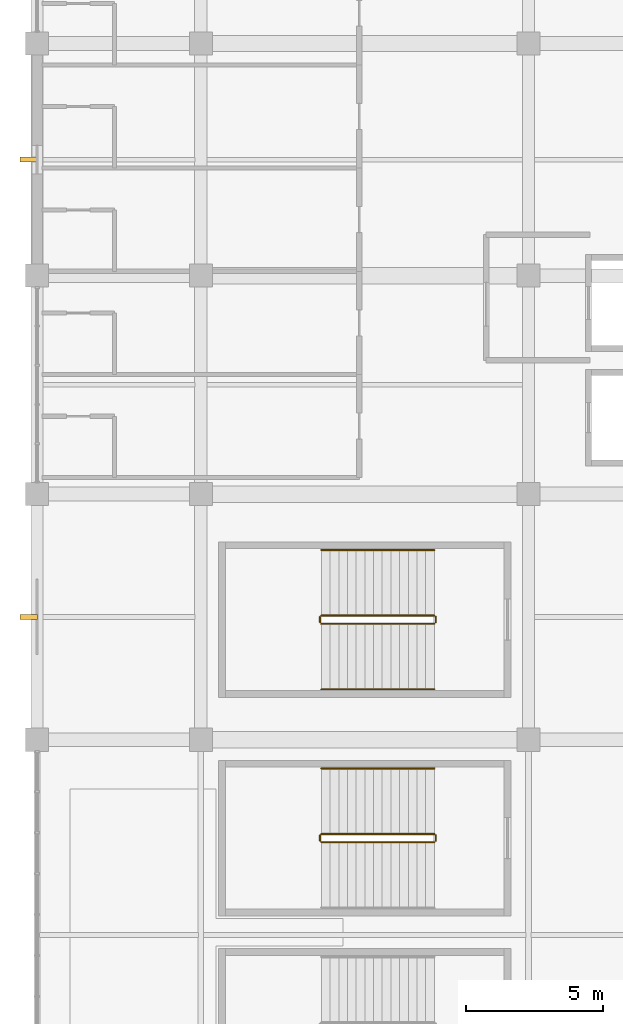
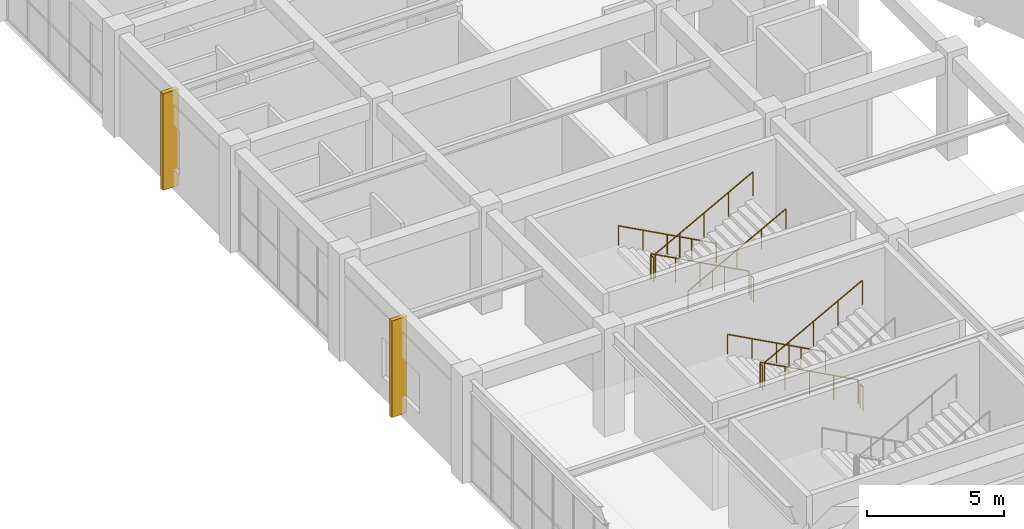
# One storey, part 98 of 112: 11 railings, 2 shading devices.
"""IFC4 building model written with IfcOpenShell, lengths in metres."""

from ifc_helpers import new_model, si_unit, direction, frame, origin, origin_2d, place, context, subcontext, project, spatial, rectangle, circle, extrude, material, type_object, element, save


model = new_model("IFC4")

# Units and contexts
model_context = context("Model", 3, precision=1e-05, world=origin(), true_north=direction((0.0, 1.0)))
body_context = subcontext(model_context, "Body", "Model", "MODEL_VIEW")
ifc_project = project(units=[si_unit("LENGTHUNIT", "METRE"), si_unit("AREAUNIT", "SQUARE_METRE"), si_unit("VOLUMEUNIT", "CUBIC_METRE"), si_unit("PLANEANGLEUNIT", "RADIAN"), si_unit("MASSUNIT", "GRAM", prefix="KILO")], contexts=[model_context])

# Site, building, storey
site_placement = place(None, origin())
site = spatial("IfcSite", under=ifc_project, at=site_placement, CompositionType="ELEMENT")
building_placement = place(site_placement, origin())
building = spatial("IfcBuilding", under=site, at=building_placement, Name="Cuetzalor Civic Arena", CompositionType="ELEMENT")
storey_placement = place(building_placement, frame((0.0, 0.0, 11.39990234375)))
storey = spatial("IfcBuildingStorey", under=building, at=storey_placement, Name="L02", CompositionType="ELEMENT", Elevation=11.39990234375)

# Railings
ifc_material_1 = material(Name="Reseda-green architectural Steel S355 balustrade", Category="steel")
railing_type_1 = type_object("IfcRailingType", Name="InteriorVoidBalustrade_1100", PredefinedType="BALUSTRADE", material=ifc_material_1)
railing_1_placement = place(storey_placement, frame((-67.449951171875, -37.449951171875, 0.171630859375)))
element("IfcRailing", 1, at=railing_1_placement, inside=storey, type_object=railing_type_1, Name="L02 ST-15 stair guard 1", PredefinedType="BALUSTRADE", context=body_context, shape_type="SweptSolid", body=[
    extrude(circle(Radius=0.02392578125, at=origin_2d()), frame((0.0, 0.0, 1.0810546875), z_axis=(-0.880248997335, 0.0, 0.474512068014), x_axis=(0.0, -1.0, 0.0)), (0.0, 0.0, 1.0), 4.696533203125),
    extrude(circle(Radius=0.02099609375, at=origin_2d()), origin(), (0.0, 0.0, 1.0), 1.056884765625),
    extrude(circle(Radius=0.02099609375, at=origin_2d()), frame((-1.033447265625, 0.0, 0.55712890625)), (0.0, 0.0, 1.0), 1.056884765625),
    extrude(circle(Radius=0.02099609375, at=origin_2d()), frame((-2.06689453125, 0.0, 1.1142578125)), (0.0, 0.0, 1.0), 1.056884765625),
    extrude(circle(Radius=0.02099609375, at=origin_2d()), frame((-3.1005859375, 0.0, 1.67138671875)), (0.0, 0.0, 1.0), 1.056884765625),
    extrude(circle(Radius=0.02099609375, at=origin_2d()), frame((-4.134033203125, 0.0, 2.228515625)), (0.0, 0.0, 1.0), 1.056884765625),
])
railing_2_placement = place(storey_placement, frame((-71.634033203125, -37.5, 2.400146484375)))
element("IfcRailing", 2, at=railing_2_placement, inside=storey, type_object=railing_type_1, Name="L02 ST-15 stair guard 2", PredefinedType="BALUSTRADE", context=body_context, shape_type="SweptSolid", body=[
    extrude(circle(Radius=0.02392578125, at=origin_2d()), frame((0.0, 0.0, 1.0810546875), z_axis=(0.0, -1.0, 0.0), x_axis=(1.0, 0.0, 0.0)), (0.0, 0.0, 1.0), 0.199951171875),
    extrude(circle(Radius=0.02099609375, at=origin_2d()), origin(), (0.0, 0.0, 1.0), 1.056884765625),
    extrude(circle(Radius=0.02099609375, at=origin_2d()), frame((0.0, -0.199951171875, 0.0)), (0.0, 0.0, 1.0), 1.056884765625),
])
railing_3_placement = place(storey_placement, frame((-71.583984375, -37.75, 2.571533203125)))
element("IfcRailing", 3, at=railing_3_placement, inside=storey, type_object=railing_type_1, Name="L02 ST-15 stair guard 3", PredefinedType="BALUSTRADE", context=body_context, shape_type="SweptSolid", body=[
    extrude(circle(Radius=0.02392578125, at=origin_2d()), frame((0.0, 0.0, 1.0810546875), z_axis=(0.880248997335, 0.0, 0.474512068014), x_axis=(0.0, 1.0, 0.0)), (0.0, 0.0, 1.0), 4.696533203125),
    extrude(circle(Radius=0.02099609375, at=origin_2d()), origin(), (0.0, 0.0, 1.0), 1.056884765625),
    extrude(circle(Radius=0.02099609375, at=origin_2d()), frame((1.033447265625, 0.0, 0.55712890625)), (0.0, 0.0, 1.0), 1.056884765625),
    extrude(circle(Radius=0.02099609375, at=origin_2d()), frame((2.06689453125, 0.0, 1.1142578125)), (0.0, 0.0, 1.0), 1.056884765625),
    extrude(circle(Radius=0.02099609375, at=origin_2d()), frame((3.1005859375, 0.0, 1.67138671875)), (0.0, 0.0, 1.0), 1.056884765625),
    extrude(circle(Radius=0.02099609375, at=origin_2d()), frame((4.134033203125, 0.0, 2.228515625)), (0.0, 0.0, 1.0), 1.056884765625),
])
railing_4_placement = place(storey_placement, frame((-67.39990234375, -37.5, 0.0)))
element("IfcRailing", 4, at=railing_4_placement, inside=storey, type_object=railing_type_1, Name="L02 ST-15 stair guard 4", PredefinedType="BALUSTRADE", context=body_context, shape_type="SweptSolid", body=[
    extrude(circle(Radius=0.02392578125, at=origin_2d()), frame((0.0, 0.0, 1.0810546875), z_axis=(0.0, -1.0, 0.0), x_axis=(1.0, 0.0, 0.0)), (0.0, 0.0, 1.0), 0.199951171875),
    extrude(circle(Radius=0.02099609375, at=origin_2d()), origin(), (0.0, 0.0, 1.0), 1.056884765625),
    extrude(circle(Radius=0.02099609375, at=origin_2d()), frame((0.0, -0.199951171875, 0.0)), (0.0, 0.0, 1.0), 1.056884765625),
])
railing_5_placement = place(storey_placement, frame((-67.449951171875, -29.449951171875, 0.171630859375)))
element("IfcRailing", 5, at=railing_5_placement, inside=storey, type_object=railing_type_1, Name="L02 ST-16 stair guard 1", PredefinedType="BALUSTRADE", context=body_context, shape_type="SweptSolid", body=[
    extrude(circle(Radius=0.02392578125, at=origin_2d()), frame((0.0, 0.0, 1.0810546875), z_axis=(-0.880248997335, 0.0, 0.474512068014), x_axis=(0.0, -1.0, 0.0)), (0.0, 0.0, 1.0), 4.696533203125),
    extrude(circle(Radius=0.02099609375, at=origin_2d()), origin(), (0.0, 0.0, 1.0), 1.056884765625),
    extrude(circle(Radius=0.02099609375, at=origin_2d()), frame((-1.033447265625, 0.0, 0.55712890625)), (0.0, 0.0, 1.0), 1.056884765625),
    extrude(circle(Radius=0.02099609375, at=origin_2d()), frame((-2.06689453125, 0.0, 1.1142578125)), (0.0, 0.0, 1.0), 1.056884765625),
    extrude(circle(Radius=0.02099609375, at=origin_2d()), frame((-3.1005859375, 0.0, 1.67138671875)), (0.0, 0.0, 1.0), 1.056884765625),
    extrude(circle(Radius=0.02099609375, at=origin_2d()), frame((-4.134033203125, 0.0, 2.228515625)), (0.0, 0.0, 1.0), 1.056884765625),
])
railing_6_placement = place(storey_placement, frame((-71.634033203125, -29.5, 2.400146484375)))
element("IfcRailing", 6, at=railing_6_placement, inside=storey, type_object=railing_type_1, Name="L02 ST-16 stair guard 2", PredefinedType="BALUSTRADE", context=body_context, shape_type="SweptSolid", body=[
    extrude(circle(Radius=0.02392578125, at=origin_2d()), frame((0.0, 0.0, 1.0810546875), z_axis=(0.0, -1.0, 0.0), x_axis=(1.0, 0.0, 0.0)), (0.0, 0.0, 1.0), 0.199951171875),
    extrude(circle(Radius=0.02099609375, at=origin_2d()), origin(), (0.0, 0.0, 1.0), 1.056884765625),
    extrude(circle(Radius=0.02099609375, at=origin_2d()), frame((0.0, -0.199951171875, 0.0)), (0.0, 0.0, 1.0), 1.056884765625),
])
railing_7_placement = place(storey_placement, frame((-71.583984375, -29.75, 2.571533203125)))
element("IfcRailing", 7, at=railing_7_placement, inside=storey, type_object=railing_type_1, Name="L02 ST-16 stair guard 3", PredefinedType="BALUSTRADE", context=body_context, shape_type="SweptSolid", body=[
    extrude(circle(Radius=0.02392578125, at=origin_2d()), frame((0.0, 0.0, 1.0810546875), z_axis=(0.880248997335, 0.0, 0.474512068014), x_axis=(0.0, 1.0, 0.0)), (0.0, 0.0, 1.0), 4.696533203125),
    extrude(circle(Radius=0.02099609375, at=origin_2d()), origin(), (0.0, 0.0, 1.0), 1.056884765625),
    extrude(circle(Radius=0.02099609375, at=origin_2d()), frame((1.033447265625, 0.0, 0.55712890625)), (0.0, 0.0, 1.0), 1.056884765625),
    extrude(circle(Radius=0.02099609375, at=origin_2d()), frame((2.06689453125, 0.0, 1.1142578125)), (0.0, 0.0, 1.0), 1.056884765625),
    extrude(circle(Radius=0.02099609375, at=origin_2d()), frame((3.1005859375, 0.0, 1.67138671875)), (0.0, 0.0, 1.0), 1.056884765625),
    extrude(circle(Radius=0.02099609375, at=origin_2d()), frame((4.134033203125, 0.0, 2.228515625)), (0.0, 0.0, 1.0), 1.056884765625),
])
railing_8_placement = place(storey_placement, frame((-67.39990234375, -29.5, 0.0)))
element("IfcRailing", 8, at=railing_8_placement, inside=storey, type_object=railing_type_1, Name="L02 ST-16 stair guard 4", PredefinedType="BALUSTRADE", context=body_context, shape_type="SweptSolid", body=[
    extrude(circle(Radius=0.02392578125, at=origin_2d()), frame((0.0, 0.0, 1.0810546875), z_axis=(0.0, -1.0, 0.0), x_axis=(1.0, 0.0, 0.0)), (0.0, 0.0, 1.0), 0.199951171875),
    extrude(circle(Radius=0.02099609375, at=origin_2d()), origin(), (0.0, 0.0, 1.0), 1.056884765625),
    extrude(circle(Radius=0.02099609375, at=origin_2d()), frame((0.0, -0.199951171875, 0.0)), (0.0, 0.0, 1.0), 1.056884765625),
])
ifc_material_2 = material(Name="Galvanised steel S355", Category="steel")
railing_type_2 = type_object("IfcRailingType", Name="StairPitchHandrail_900", PredefinedType="HANDRAIL", material=ifc_material_2)
for number, where, name in (
    (9, (-67.449951171875, -35.050048828125, 0.171630859375), "L02 ST-15 stair handrail 1"),
    (10, (-67.449951171875, -27.050048828125, 0.171630859375), "L02 ST-16 stair handrail 1"),
):
    element("IfcRailing", number, at=place(storey_placement, frame(where)), inside=storey, type_object=railing_type_2, Name=name, PredefinedType="HANDRAIL", context=body_context, shape_type="SweptSolid", body=[
        extrude(circle(Radius=0.02392578125, at=origin_2d()), frame((0.0, 0.0, 0.8759765625), z_axis=(-0.880248997335, 0.0, 0.474512068014), x_axis=(0.0, -1.0, 0.0)), (0.0, 0.0, 1.0), 4.696533203125),
        extrude(circle(Radius=0.02099609375, at=origin_2d()), origin(), (0.0, 0.0, 1.0), 0.851806640625),
        extrude(circle(Radius=0.02099609375, at=origin_2d()), frame((-1.033447265625, 0.0, 0.55712890625)), (0.0, 0.0, 1.0), 0.851806640625),
        extrude(circle(Radius=0.02099609375, at=origin_2d()), frame((-2.06689453125, 0.0, 1.1142578125)), (0.0, 0.0, 1.0), 0.851806640625),
        extrude(circle(Radius=0.02099609375, at=origin_2d()), frame((-3.1005859375, 0.0, 1.67138671875)), (0.0, 0.0, 1.0), 0.851806640625),
        extrude(circle(Radius=0.02099609375, at=origin_2d()), frame((-4.134033203125, 0.0, 2.228515625)), (0.0, 0.0, 1.0), 0.851806640625),
    ])
railing_9_placement = place(storey_placement, frame((-71.583984375, -32.14990234375, 2.571533203125)))
element("IfcRailing", 11, at=railing_9_placement, inside=storey, type_object=railing_type_2, Name="L02 ST-16 stair handrail 2", PredefinedType="HANDRAIL", context=body_context, shape_type="SweptSolid", body=[
    extrude(circle(Radius=0.02392578125, at=origin_2d()), frame((0.0, 0.0, 0.8759765625), z_axis=(0.880248997335, 0.0, 0.474512068014), x_axis=(0.0, 1.0, 0.0)), (0.0, 0.0, 1.0), 4.696533203125),
    extrude(circle(Radius=0.02099609375, at=origin_2d()), origin(), (0.0, 0.0, 1.0), 0.851806640625),
    extrude(circle(Radius=0.02099609375, at=origin_2d()), frame((1.033447265625, 0.0, 0.55712890625)), (0.0, 0.0, 1.0), 0.851806640625),
    extrude(circle(Radius=0.02099609375, at=origin_2d()), frame((2.06689453125, 0.0, 1.1142578125)), (0.0, 0.0, 1.0), 0.851806640625),
    extrude(circle(Radius=0.02099609375, at=origin_2d()), frame((3.1005859375, 0.0, 1.67138671875)), (0.0, 0.0, 1.0), 0.851806640625),
    extrude(circle(Radius=0.02099609375, at=origin_2d()), frame((4.134033203125, 0.0, 2.228515625)), (0.0, 0.0, 1.0), 0.851806640625),
])

# Shading devices
ifc_material_3 = material(Name="Puebla cantera gris stone and bronze fin", Category="masonry")
shading_device_type = type_object("IfcShadingDeviceType", Name="VerticalCanteraSolarFin", PredefinedType="USERDEFINED", material=ifc_material_3)
for number, where, z_axis, x_axis, name in (
    (12, (-82.300048828125, -29.5, 0.10009765625), (0.0, 0.0, 1.0), (1.0, 0.0, 0.0), "V4W Vertical Cantera Solar Fin 02"),
    (13, (-82.300048828125, -12.75, 0.10009765625), (0.0, 0.0, 1.0), (1.0, 0.0, 0.0), "V4W Vertical Cantera Solar Fin 03"),
):
    element("IfcShadingDevice", number, at=place(storey_placement, frame(where, z_axis=z_axis, x_axis=x_axis)), inside=storey, type_object=shading_device_type, Name=name, ObjectType="SOLAR FIN", PredefinedType="USERDEFINED", context=body_context, shape_type="SweptSolid", body=[
        extrude(rectangle(XDim=0.64990234375, YDim=0.179931640625, at=origin_2d()), origin(), (0.0, 0.0, 1.0), 4.320068359375),
    ])

save(model, "model.ifc")
